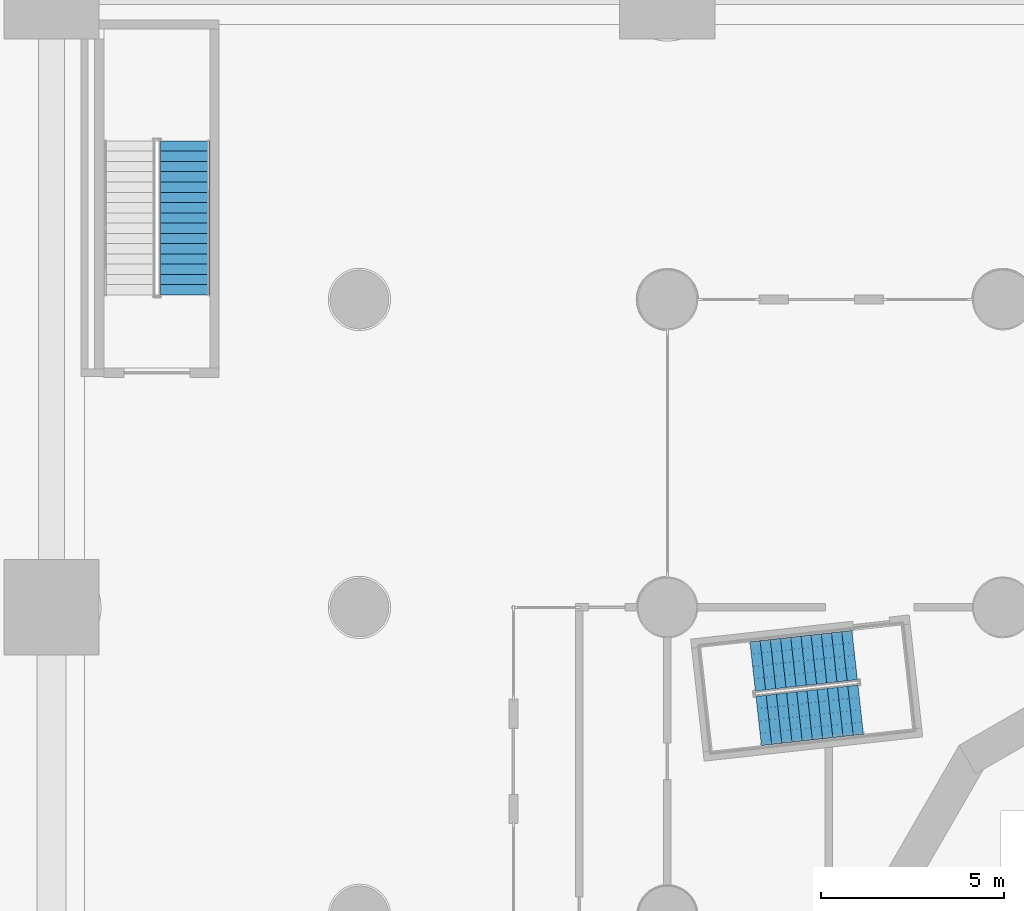
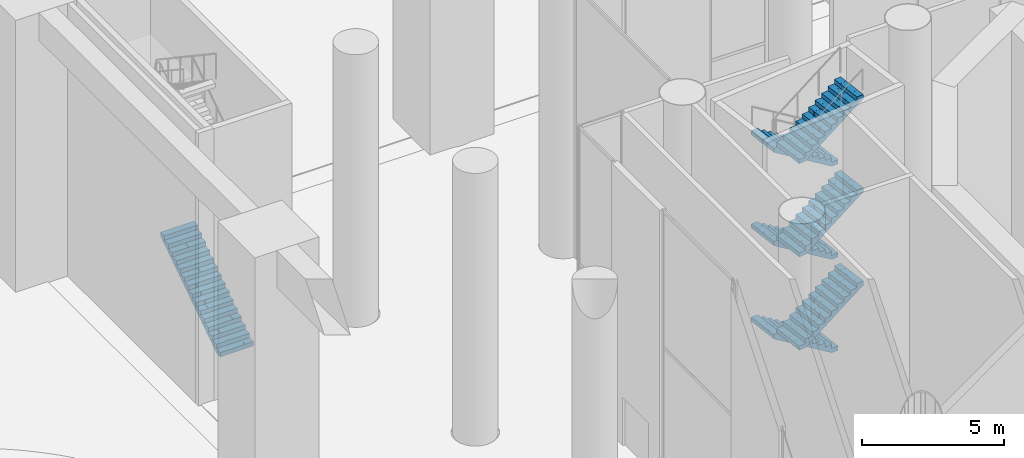
# One storey, part 21 of 52: 7 stair flights, 2 elements without a shape of their own.
"""IFC4 building model written with IfcOpenShell, lengths in metres."""

from ifc_helpers import new_model, si_unit, direction, frame, origin, place, context, subcontext, project, spatial, polyline, outline, extrude, material, type_object, element, aggregate, save


model = new_model("IFC4")

# Units and contexts
model_context = context("Model", 3, precision=1e-05, world=origin(), true_north=direction((0.0, 1.0)))
body_context = subcontext(model_context, "Body", "Model", "MODEL_VIEW")
ifc_project = project(units=[si_unit("LENGTHUNIT", "METRE"), si_unit("AREAUNIT", "SQUARE_METRE"), si_unit("VOLUMEUNIT", "CUBIC_METRE"), si_unit("PLANEANGLEUNIT", "RADIAN"), si_unit("MASSUNIT", "GRAM", prefix="KILO")], contexts=[model_context])

# Site, building, storey
site_placement = place(None, origin())
site = spatial("IfcSite", under=ifc_project, at=site_placement, CompositionType="ELEMENT")
building_placement = place(site_placement, origin())
building = spatial("IfcBuilding", under=site, at=building_placement, Name="Cantera Rosa Tower", CompositionType="ELEMENT")
storey_placement = place(building_placement, origin())
storey = spatial("IfcBuildingStorey", under=building, at=storey_placement, Name="L00", CompositionType="ELEMENT", Elevation=0.0)

# Stair, stair flights
ifc_material_1 = material(Name="Concrete C35/45", Category="concrete")
stair_type_1 = type_object("IfcStairType", Name="EXIT STAIR 1350 DOGLEG", PredefinedType="HALF_TURN_STAIR", material=ifc_material_1)
stair_1_placement = place(storey_placement, origin())
stair_1 = element("IfcStair", 1, at=stair_1_placement, inside=storey, type_object=stair_type_1, Name="L00 ST-12", PredefinedType="HALF_TURN_STAIR")
ifc_material_2 = material(Name="Concrete C35/45", Category="concrete")
stair_flight_type_1 = type_object("IfcStairFlightType", Name="STAIR FLIGHT 1350 R66x182", PredefinedType="STRAIGHT", material=ifc_material_2)
stair_flight_1_placement = place(storey_placement, frame((-11.691162109375, 11.2998046875, 0.0), z_axis=(0.0, 0.0, 1.0), x_axis=(-0.993896947056, -0.110312549749, 0.0)))
stair_flight_1 = element("IfcStairFlight", 2, at=stair_flight_1_placement, type_object=stair_flight_type_1, Name="ST-12 flight 1", NumberOfRisers=11, NumberOfTreads=10, PredefinedType="STRAIGHT", RiserHeight=0.181818182, TreadLength=0.28, context=body_context, shape_type="SweptSolid", body=[
    extrude(outline(polyline([(0.0, 0.0), (0.0, 0.181884765625), (0.280029296875, 0.181884765625), (0.280029296875, 0.363525390625), (0.56005859375, 0.363525390625), (0.56005859375, 0.54541015625), (0.840087890625, 0.54541015625), (0.840087890625, 0.727294921875), (1.1201171875, 0.727294921875), (1.1201171875, 0.9091796875), (1.39990234375, 0.9091796875), (1.39990234375, 1.0908203125), (1.679931640625, 1.0908203125), (1.679931640625, 1.272705078125), (1.9599609375, 1.272705078125), (1.9599609375, 1.45458984375), (2.239990234375, 1.45458984375), (2.239990234375, 1.636474609375), (2.52001953125, 1.636474609375), (2.52001953125, 1.818115234375), (2.800048828125, 1.818115234375), (2.800048828125, 2.0), (2.800048828125, 1.639404296875), (0.275146484375, 0.0), (0.0, 0.0)])), frame((0.0, 0.675048828125, 0.0), z_axis=(0.0, -1.0, 0.0), x_axis=(1.0, 0.0, 0.0)), (0.0, 0.0, 1.0), 0.3359375),
    extrude(outline(polyline([(0.0, 0.0), (0.0, 0.181884765625), (0.280029296875, 0.181884765625), (0.280029296875, 0.363525390625), (0.56005859375, 0.363525390625), (0.56005859375, 0.54541015625), (0.840087890625, 0.54541015625), (0.840087890625, 0.727294921875), (1.1201171875, 0.727294921875), (1.1201171875, 0.9091796875), (1.39990234375, 0.9091796875), (1.39990234375, 1.0908203125), (1.679931640625, 1.0908203125), (1.679931640625, 1.272705078125), (1.9599609375, 1.272705078125), (1.9599609375, 1.45458984375), (2.239990234375, 1.45458984375), (2.239990234375, 1.636474609375), (2.52001953125, 1.636474609375), (2.52001953125, 1.818115234375), (2.800048828125, 1.818115234375), (2.800048828125, 2.0), (2.800048828125, 1.639404296875), (0.275146484375, 0.0), (0.0, 0.0)])), frame((0.0, 0.337158203125, 0.0), z_axis=(0.0, -1.0, 0.0), x_axis=(1.0, 0.0, 0.0)), (0.0, 0.0, 1.0), 0.3359375),
    extrude(outline(polyline([(0.0, 0.0), (0.0, 0.181884765625), (0.280029296875, 0.181884765625), (0.280029296875, 0.363525390625), (0.56005859375, 0.363525390625), (0.56005859375, 0.54541015625), (0.840087890625, 0.54541015625), (0.840087890625, 0.727294921875), (1.1201171875, 0.727294921875), (1.1201171875, 0.9091796875), (1.39990234375, 0.9091796875), (1.39990234375, 1.0908203125), (1.679931640625, 1.0908203125), (1.679931640625, 1.272705078125), (1.9599609375, 1.272705078125), (1.9599609375, 1.45458984375), (2.239990234375, 1.45458984375), (2.239990234375, 1.636474609375), (2.52001953125, 1.636474609375), (2.52001953125, 1.818115234375), (2.800048828125, 1.818115234375), (2.800048828125, 2.0), (2.800048828125, 1.639404296875), (0.275146484375, 0.0), (0.0, 0.0)])), frame((0.0, -0.000732421875, 0.0), z_axis=(0.0, -1.0, 0.0), x_axis=(1.0, 0.0, 0.0)), (0.0, 0.0, 1.0), 0.3359375),
    extrude(outline(polyline([(0.0, 0.0), (0.0, 0.181884765625), (0.280029296875, 0.181884765625), (0.280029296875, 0.363525390625), (0.56005859375, 0.363525390625), (0.56005859375, 0.54541015625), (0.840087890625, 0.54541015625), (0.840087890625, 0.727294921875), (1.1201171875, 0.727294921875), (1.1201171875, 0.9091796875), (1.39990234375, 0.9091796875), (1.39990234375, 1.0908203125), (1.679931640625, 1.0908203125), (1.679931640625, 1.272705078125), (1.9599609375, 1.272705078125), (1.9599609375, 1.45458984375), (2.239990234375, 1.45458984375), (2.239990234375, 1.636474609375), (2.52001953125, 1.636474609375), (2.52001953125, 1.818115234375), (2.800048828125, 1.818115234375), (2.800048828125, 2.0), (2.800048828125, 1.639404296875), (0.275146484375, 0.0), (0.0, 0.0)])), frame((0.0, -0.338623046875, 0.0), z_axis=(0.0, -1.0, 0.0), x_axis=(1.0, 0.0, 0.0)), (0.0, 0.0, 1.0), 0.3359375),
])
stair_flight_2_placement = place(storey_placement, frame((-14.308837890625, 9.500244140625, 2.0), z_axis=(0.0, 0.0, 1.0), x_axis=(0.993896947056, 0.110312549749, 0.0)))
stair_flight_2 = element("IfcStairFlight", 3, at=stair_flight_2_placement, type_object=stair_flight_type_1, Name="ST-12 flight 2", NumberOfRisers=11, NumberOfTreads=10, PredefinedType="STRAIGHT", RiserHeight=0.181818182, TreadLength=0.28, context=body_context, shape_type="SweptSolid", body=[
    extrude(outline(polyline([(0.0, 0.0), (0.0, 0.181884765625), (0.280029296875, 0.181884765625), (0.280029296875, 0.363525390625), (0.56005859375, 0.363525390625), (0.56005859375, 0.54541015625), (0.840087890625, 0.54541015625), (0.840087890625, 0.727294921875), (1.1201171875, 0.727294921875), (1.1201171875, 0.9091796875), (1.39990234375, 0.9091796875), (1.39990234375, 1.0908203125), (1.679931640625, 1.0908203125), (1.679931640625, 1.272705078125), (1.9599609375, 1.272705078125), (1.9599609375, 1.45458984375), (2.239990234375, 1.45458984375), (2.239990234375, 1.636474609375), (2.52001953125, 1.636474609375), (2.52001953125, 1.818115234375), (2.800048828125, 1.818115234375), (2.800048828125, 2.0), (2.800048828125, 1.639404296875), (0.275146484375, 0.0), (0.0, 0.0)])), frame((0.0, 0.675048828125, 0.0), z_axis=(0.0, -1.0, 0.0), x_axis=(1.0, 0.0, 0.0)), (0.0, 0.0, 1.0), 0.3359375),
    extrude(outline(polyline([(0.0, 0.0), (0.0, 0.181884765625), (0.280029296875, 0.181884765625), (0.280029296875, 0.363525390625), (0.56005859375, 0.363525390625), (0.56005859375, 0.54541015625), (0.840087890625, 0.54541015625), (0.840087890625, 0.727294921875), (1.1201171875, 0.727294921875), (1.1201171875, 0.9091796875), (1.39990234375, 0.9091796875), (1.39990234375, 1.0908203125), (1.679931640625, 1.0908203125), (1.679931640625, 1.272705078125), (1.9599609375, 1.272705078125), (1.9599609375, 1.45458984375), (2.239990234375, 1.45458984375), (2.239990234375, 1.636474609375), (2.52001953125, 1.636474609375), (2.52001953125, 1.818115234375), (2.800048828125, 1.818115234375), (2.800048828125, 2.0), (2.800048828125, 1.639404296875), (0.275146484375, 0.0), (0.0, 0.0)])), frame((0.0, 0.337158203125, 0.0), z_axis=(0.0, -1.0, 0.0), x_axis=(1.0, 0.0, 0.0)), (0.0, 0.0, 1.0), 0.3359375),
    extrude(outline(polyline([(0.0, 0.0), (0.0, 0.181884765625), (0.280029296875, 0.181884765625), (0.280029296875, 0.363525390625), (0.56005859375, 0.363525390625), (0.56005859375, 0.54541015625), (0.840087890625, 0.54541015625), (0.840087890625, 0.727294921875), (1.1201171875, 0.727294921875), (1.1201171875, 0.9091796875), (1.39990234375, 0.9091796875), (1.39990234375, 1.0908203125), (1.679931640625, 1.0908203125), (1.679931640625, 1.272705078125), (1.9599609375, 1.272705078125), (1.9599609375, 1.45458984375), (2.239990234375, 1.45458984375), (2.239990234375, 1.636474609375), (2.52001953125, 1.636474609375), (2.52001953125, 1.818115234375), (2.800048828125, 1.818115234375), (2.800048828125, 2.0), (2.800048828125, 1.639404296875), (0.275146484375, 0.0), (0.0, 0.0)])), frame((0.0, -0.000732421875, 0.0), z_axis=(0.0, -1.0, 0.0), x_axis=(1.0, 0.0, 0.0)), (0.0, 0.0, 1.0), 0.3359375),
    extrude(outline(polyline([(0.0, 0.0), (0.0, 0.181884765625), (0.280029296875, 0.181884765625), (0.280029296875, 0.363525390625), (0.56005859375, 0.363525390625), (0.56005859375, 0.54541015625), (0.840087890625, 0.54541015625), (0.840087890625, 0.727294921875), (1.1201171875, 0.727294921875), (1.1201171875, 0.9091796875), (1.39990234375, 0.9091796875), (1.39990234375, 1.0908203125), (1.679931640625, 1.0908203125), (1.679931640625, 1.272705078125), (1.9599609375, 1.272705078125), (1.9599609375, 1.45458984375), (2.239990234375, 1.45458984375), (2.239990234375, 1.636474609375), (2.52001953125, 1.636474609375), (2.52001953125, 1.818115234375), (2.800048828125, 1.818115234375), (2.800048828125, 2.0), (2.800048828125, 1.639404296875), (0.275146484375, 0.0), (0.0, 0.0)])), frame((0.0, -0.338623046875, 0.0), z_axis=(0.0, -1.0, 0.0), x_axis=(1.0, 0.0, 0.0)), (0.0, 0.0, 1.0), 0.3359375),
])
stair_flight_3_placement = place(storey_placement, frame((-11.691162109375, 11.2998046875, 4.0), z_axis=(0.0, 0.0, 1.0), x_axis=(-0.993896947056, -0.110312549749, 0.0)))
stair_flight_3 = element("IfcStairFlight", 4, at=stair_flight_3_placement, type_object=stair_flight_type_1, Name="ST-12 flight 3", NumberOfRisers=11, NumberOfTreads=10, PredefinedType="STRAIGHT", RiserHeight=0.181818182, TreadLength=0.28, context=body_context, shape_type="SweptSolid", body=[
    extrude(outline(polyline([(0.0, 0.0), (0.0, 0.181884765625), (0.280029296875, 0.181884765625), (0.280029296875, 0.363525390625), (0.56005859375, 0.363525390625), (0.56005859375, 0.54541015625), (0.840087890625, 0.54541015625), (0.840087890625, 0.727294921875), (1.1201171875, 0.727294921875), (1.1201171875, 0.9091796875), (1.39990234375, 0.9091796875), (1.39990234375, 1.0908203125), (1.679931640625, 1.0908203125), (1.679931640625, 1.272705078125), (1.9599609375, 1.272705078125), (1.9599609375, 1.45458984375), (2.239990234375, 1.45458984375), (2.239990234375, 1.636474609375), (2.52001953125, 1.636474609375), (2.52001953125, 1.818115234375), (2.800048828125, 1.818115234375), (2.800048828125, 2.0), (2.800048828125, 1.639404296875), (0.275146484375, 0.0), (0.0, 0.0)])), frame((0.0, 0.675048828125, 0.0), z_axis=(0.0, -1.0, 0.0), x_axis=(1.0, 0.0, 0.0)), (0.0, 0.0, 1.0), 0.3359375),
    extrude(outline(polyline([(0.0, 0.0), (0.0, 0.181884765625), (0.280029296875, 0.181884765625), (0.280029296875, 0.363525390625), (0.56005859375, 0.363525390625), (0.56005859375, 0.54541015625), (0.840087890625, 0.54541015625), (0.840087890625, 0.727294921875), (1.1201171875, 0.727294921875), (1.1201171875, 0.9091796875), (1.39990234375, 0.9091796875), (1.39990234375, 1.0908203125), (1.679931640625, 1.0908203125), (1.679931640625, 1.272705078125), (1.9599609375, 1.272705078125), (1.9599609375, 1.45458984375), (2.239990234375, 1.45458984375), (2.239990234375, 1.636474609375), (2.52001953125, 1.636474609375), (2.52001953125, 1.818115234375), (2.800048828125, 1.818115234375), (2.800048828125, 2.0), (2.800048828125, 1.639404296875), (0.275146484375, 0.0), (0.0, 0.0)])), frame((0.0, 0.337158203125, 0.0), z_axis=(0.0, -1.0, 0.0), x_axis=(1.0, 0.0, 0.0)), (0.0, 0.0, 1.0), 0.3359375),
    extrude(outline(polyline([(0.0, 0.0), (0.0, 0.181884765625), (0.280029296875, 0.181884765625), (0.280029296875, 0.363525390625), (0.56005859375, 0.363525390625), (0.56005859375, 0.54541015625), (0.840087890625, 0.54541015625), (0.840087890625, 0.727294921875), (1.1201171875, 0.727294921875), (1.1201171875, 0.9091796875), (1.39990234375, 0.9091796875), (1.39990234375, 1.0908203125), (1.679931640625, 1.0908203125), (1.679931640625, 1.272705078125), (1.9599609375, 1.272705078125), (1.9599609375, 1.45458984375), (2.239990234375, 1.45458984375), (2.239990234375, 1.636474609375), (2.52001953125, 1.636474609375), (2.52001953125, 1.818115234375), (2.800048828125, 1.818115234375), (2.800048828125, 2.0), (2.800048828125, 1.639404296875), (0.275146484375, 0.0), (0.0, 0.0)])), frame((0.0, -0.000732421875, 0.0), z_axis=(0.0, -1.0, 0.0), x_axis=(1.0, 0.0, 0.0)), (0.0, 0.0, 1.0), 0.3359375),
    extrude(outline(polyline([(0.0, 0.0), (0.0, 0.181884765625), (0.280029296875, 0.181884765625), (0.280029296875, 0.363525390625), (0.56005859375, 0.363525390625), (0.56005859375, 0.54541015625), (0.840087890625, 0.54541015625), (0.840087890625, 0.727294921875), (1.1201171875, 0.727294921875), (1.1201171875, 0.9091796875), (1.39990234375, 0.9091796875), (1.39990234375, 1.0908203125), (1.679931640625, 1.0908203125), (1.679931640625, 1.272705078125), (1.9599609375, 1.272705078125), (1.9599609375, 1.45458984375), (2.239990234375, 1.45458984375), (2.239990234375, 1.636474609375), (2.52001953125, 1.636474609375), (2.52001953125, 1.818115234375), (2.800048828125, 1.818115234375), (2.800048828125, 2.0), (2.800048828125, 1.639404296875), (0.275146484375, 0.0), (0.0, 0.0)])), frame((0.0, -0.338623046875, 0.0), z_axis=(0.0, -1.0, 0.0), x_axis=(1.0, 0.0, 0.0)), (0.0, 0.0, 1.0), 0.3359375),
])
stair_flight_4_placement = place(storey_placement, frame((-14.308837890625, 9.500244140625, 6.0), z_axis=(0.0, 0.0, 1.0), x_axis=(0.993896947056, 0.110312549749, 0.0)))
stair_flight_4 = element("IfcStairFlight", 5, at=stair_flight_4_placement, type_object=stair_flight_type_1, Name="ST-12 flight 4", NumberOfRisers=11, NumberOfTreads=10, PredefinedType="STRAIGHT", RiserHeight=0.181818182, TreadLength=0.28, context=body_context, shape_type="SweptSolid", body=[
    extrude(outline(polyline([(0.0, 0.0), (0.0, 0.181884765625), (0.280029296875, 0.181884765625), (0.280029296875, 0.363525390625), (0.56005859375, 0.363525390625), (0.56005859375, 0.54541015625), (0.840087890625, 0.54541015625), (0.840087890625, 0.727294921875), (1.1201171875, 0.727294921875), (1.1201171875, 0.9091796875), (1.39990234375, 0.9091796875), (1.39990234375, 1.0908203125), (1.679931640625, 1.0908203125), (1.679931640625, 1.272705078125), (1.9599609375, 1.272705078125), (1.9599609375, 1.45458984375), (2.239990234375, 1.45458984375), (2.239990234375, 1.636474609375), (2.52001953125, 1.636474609375), (2.52001953125, 1.818115234375), (2.800048828125, 1.818115234375), (2.800048828125, 2.0), (2.800048828125, 1.639404296875), (0.275146484375, 0.0), (0.0, 0.0)])), frame((0.0, 0.675048828125, 0.0), z_axis=(0.0, -1.0, 0.0), x_axis=(1.0, 0.0, 0.0)), (0.0, 0.0, 1.0), 0.3359375),
    extrude(outline(polyline([(0.0, 0.0), (0.0, 0.181884765625), (0.280029296875, 0.181884765625), (0.280029296875, 0.363525390625), (0.56005859375, 0.363525390625), (0.56005859375, 0.54541015625), (0.840087890625, 0.54541015625), (0.840087890625, 0.727294921875), (1.1201171875, 0.727294921875), (1.1201171875, 0.9091796875), (1.39990234375, 0.9091796875), (1.39990234375, 1.0908203125), (1.679931640625, 1.0908203125), (1.679931640625, 1.272705078125), (1.9599609375, 1.272705078125), (1.9599609375, 1.45458984375), (2.239990234375, 1.45458984375), (2.239990234375, 1.636474609375), (2.52001953125, 1.636474609375), (2.52001953125, 1.818115234375), (2.800048828125, 1.818115234375), (2.800048828125, 2.0), (2.800048828125, 1.639404296875), (0.275146484375, 0.0), (0.0, 0.0)])), frame((0.0, 0.337158203125, 0.0), z_axis=(0.0, -1.0, 0.0), x_axis=(1.0, 0.0, 0.0)), (0.0, 0.0, 1.0), 0.3359375),
    extrude(outline(polyline([(0.0, 0.0), (0.0, 0.181884765625), (0.280029296875, 0.181884765625), (0.280029296875, 0.363525390625), (0.56005859375, 0.363525390625), (0.56005859375, 0.54541015625), (0.840087890625, 0.54541015625), (0.840087890625, 0.727294921875), (1.1201171875, 0.727294921875), (1.1201171875, 0.9091796875), (1.39990234375, 0.9091796875), (1.39990234375, 1.0908203125), (1.679931640625, 1.0908203125), (1.679931640625, 1.272705078125), (1.9599609375, 1.272705078125), (1.9599609375, 1.45458984375), (2.239990234375, 1.45458984375), (2.239990234375, 1.636474609375), (2.52001953125, 1.636474609375), (2.52001953125, 1.818115234375), (2.800048828125, 1.818115234375), (2.800048828125, 2.0), (2.800048828125, 1.639404296875), (0.275146484375, 0.0), (0.0, 0.0)])), frame((0.0, -0.000732421875, 0.0), z_axis=(0.0, -1.0, 0.0), x_axis=(1.0, 0.0, 0.0)), (0.0, 0.0, 1.0), 0.3359375),
    extrude(outline(polyline([(0.0, 0.0), (0.0, 0.181884765625), (0.280029296875, 0.181884765625), (0.280029296875, 0.363525390625), (0.56005859375, 0.363525390625), (0.56005859375, 0.54541015625), (0.840087890625, 0.54541015625), (0.840087890625, 0.727294921875), (1.1201171875, 0.727294921875), (1.1201171875, 0.9091796875), (1.39990234375, 0.9091796875), (1.39990234375, 1.0908203125), (1.679931640625, 1.0908203125), (1.679931640625, 1.272705078125), (1.9599609375, 1.272705078125), (1.9599609375, 1.45458984375), (2.239990234375, 1.45458984375), (2.239990234375, 1.636474609375), (2.52001953125, 1.636474609375), (2.52001953125, 1.818115234375), (2.800048828125, 1.818115234375), (2.800048828125, 2.0), (2.800048828125, 1.639404296875), (0.275146484375, 0.0), (0.0, 0.0)])), frame((0.0, -0.338623046875, 0.0), z_axis=(0.0, -1.0, 0.0), x_axis=(1.0, 0.0, 0.0)), (0.0, 0.0, 1.0), 0.3359375),
])
stair_flight_5_placement = place(storey_placement, frame((-11.691162109375, 11.2998046875, 8.0), z_axis=(0.0, 0.0, 1.0), x_axis=(-0.993896947056, -0.110312549749, 0.0)))
stair_flight_5 = element("IfcStairFlight", 6, at=stair_flight_5_placement, type_object=stair_flight_type_1, Name="ST-12 flight 5", NumberOfRisers=11, NumberOfTreads=10, PredefinedType="STRAIGHT", RiserHeight=0.181818182, TreadLength=0.28, context=body_context, shape_type="SweptSolid", body=[
    extrude(outline(polyline([(0.0, 0.0), (0.0, 0.181884765625), (0.280029296875, 0.181884765625), (0.280029296875, 0.363525390625), (0.56005859375, 0.363525390625), (0.56005859375, 0.54541015625), (0.840087890625, 0.54541015625), (0.840087890625, 0.727294921875), (1.1201171875, 0.727294921875), (1.1201171875, 0.9091796875), (1.39990234375, 0.9091796875), (1.39990234375, 1.0908203125), (1.679931640625, 1.0908203125), (1.679931640625, 1.272705078125), (1.9599609375, 1.272705078125), (1.9599609375, 1.45458984375), (2.239990234375, 1.45458984375), (2.239990234375, 1.636474609375), (2.52001953125, 1.636474609375), (2.52001953125, 1.818115234375), (2.800048828125, 1.818115234375), (2.800048828125, 2.0), (2.800048828125, 1.639404296875), (0.275146484375, 0.0), (0.0, 0.0)])), frame((0.0, 0.675048828125, 0.0), z_axis=(0.0, -1.0, 0.0), x_axis=(1.0, 0.0, 0.0)), (0.0, 0.0, 1.0), 0.3359375),
    extrude(outline(polyline([(0.0, 0.0), (0.0, 0.181884765625), (0.280029296875, 0.181884765625), (0.280029296875, 0.363525390625), (0.56005859375, 0.363525390625), (0.56005859375, 0.54541015625), (0.840087890625, 0.54541015625), (0.840087890625, 0.727294921875), (1.1201171875, 0.727294921875), (1.1201171875, 0.9091796875), (1.39990234375, 0.9091796875), (1.39990234375, 1.0908203125), (1.679931640625, 1.0908203125), (1.679931640625, 1.272705078125), (1.9599609375, 1.272705078125), (1.9599609375, 1.45458984375), (2.239990234375, 1.45458984375), (2.239990234375, 1.636474609375), (2.52001953125, 1.636474609375), (2.52001953125, 1.818115234375), (2.800048828125, 1.818115234375), (2.800048828125, 2.0), (2.800048828125, 1.639404296875), (0.275146484375, 0.0), (0.0, 0.0)])), frame((0.0, 0.337158203125, 0.0), z_axis=(0.0, -1.0, 0.0), x_axis=(1.0, 0.0, 0.0)), (0.0, 0.0, 1.0), 0.3359375),
    extrude(outline(polyline([(0.0, 0.0), (0.0, 0.181884765625), (0.280029296875, 0.181884765625), (0.280029296875, 0.363525390625), (0.56005859375, 0.363525390625), (0.56005859375, 0.54541015625), (0.840087890625, 0.54541015625), (0.840087890625, 0.727294921875), (1.1201171875, 0.727294921875), (1.1201171875, 0.9091796875), (1.39990234375, 0.9091796875), (1.39990234375, 1.0908203125), (1.679931640625, 1.0908203125), (1.679931640625, 1.272705078125), (1.9599609375, 1.272705078125), (1.9599609375, 1.45458984375), (2.239990234375, 1.45458984375), (2.239990234375, 1.636474609375), (2.52001953125, 1.636474609375), (2.52001953125, 1.818115234375), (2.800048828125, 1.818115234375), (2.800048828125, 2.0), (2.800048828125, 1.639404296875), (0.275146484375, 0.0), (0.0, 0.0)])), frame((0.0, -0.000732421875, 0.0), z_axis=(0.0, -1.0, 0.0), x_axis=(1.0, 0.0, 0.0)), (0.0, 0.0, 1.0), 0.3359375),
    extrude(outline(polyline([(0.0, 0.0), (0.0, 0.181884765625), (0.280029296875, 0.181884765625), (0.280029296875, 0.363525390625), (0.56005859375, 0.363525390625), (0.56005859375, 0.54541015625), (0.840087890625, 0.54541015625), (0.840087890625, 0.727294921875), (1.1201171875, 0.727294921875), (1.1201171875, 0.9091796875), (1.39990234375, 0.9091796875), (1.39990234375, 1.0908203125), (1.679931640625, 1.0908203125), (1.679931640625, 1.272705078125), (1.9599609375, 1.272705078125), (1.9599609375, 1.45458984375), (2.239990234375, 1.45458984375), (2.239990234375, 1.636474609375), (2.52001953125, 1.636474609375), (2.52001953125, 1.818115234375), (2.800048828125, 1.818115234375), (2.800048828125, 2.0), (2.800048828125, 1.639404296875), (0.275146484375, 0.0), (0.0, 0.0)])), frame((0.0, -0.338623046875, 0.0), z_axis=(0.0, -1.0, 0.0), x_axis=(1.0, 0.0, 0.0)), (0.0, 0.0, 1.0), 0.3359375),
])
stair_flight_6_placement = place(storey_placement, frame((-14.308837890625, 9.500244140625, 10.0), z_axis=(0.0, 0.0, 1.0), x_axis=(0.993896947056, 0.110312549749, 0.0)))
stair_flight_6 = element("IfcStairFlight", 7, at=stair_flight_6_placement, type_object=stair_flight_type_1, Name="ST-12 flight 6", NumberOfRisers=11, NumberOfTreads=10, PredefinedType="STRAIGHT", RiserHeight=0.181818182, TreadLength=0.28, context=body_context, shape_type="SweptSolid", body=[
    extrude(outline(polyline([(0.0, 0.0), (0.0, 0.181884765625), (0.280029296875, 0.181884765625), (0.280029296875, 0.363525390625), (0.56005859375, 0.363525390625), (0.56005859375, 0.54541015625), (0.840087890625, 0.54541015625), (0.840087890625, 0.727294921875), (1.1201171875, 0.727294921875), (1.1201171875, 0.9091796875), (1.39990234375, 0.9091796875), (1.39990234375, 1.0908203125), (1.679931640625, 1.0908203125), (1.679931640625, 1.272705078125), (1.9599609375, 1.272705078125), (1.9599609375, 1.45458984375), (2.239990234375, 1.45458984375), (2.239990234375, 1.636474609375), (2.52001953125, 1.636474609375), (2.52001953125, 1.818115234375), (2.800048828125, 1.818115234375), (2.800048828125, 2.0), (2.800048828125, 1.639404296875), (0.275146484375, 0.0), (0.0, 0.0)])), frame((0.0, 0.675048828125, 0.0), z_axis=(0.0, -1.0, 0.0), x_axis=(1.0, 0.0, 0.0)), (0.0, 0.0, 1.0), 0.3359375),
    extrude(outline(polyline([(0.0, 0.0), (0.0, 0.181884765625), (0.280029296875, 0.181884765625), (0.280029296875, 0.363525390625), (0.56005859375, 0.363525390625), (0.56005859375, 0.54541015625), (0.840087890625, 0.54541015625), (0.840087890625, 0.727294921875), (1.1201171875, 0.727294921875), (1.1201171875, 0.9091796875), (1.39990234375, 0.9091796875), (1.39990234375, 1.0908203125), (1.679931640625, 1.0908203125), (1.679931640625, 1.272705078125), (1.9599609375, 1.272705078125), (1.9599609375, 1.45458984375), (2.239990234375, 1.45458984375), (2.239990234375, 1.636474609375), (2.52001953125, 1.636474609375), (2.52001953125, 1.818115234375), (2.800048828125, 1.818115234375), (2.800048828125, 2.0), (2.800048828125, 1.639404296875), (0.275146484375, 0.0), (0.0, 0.0)])), frame((0.0, 0.337158203125, 0.0), z_axis=(0.0, -1.0, 0.0), x_axis=(1.0, 0.0, 0.0)), (0.0, 0.0, 1.0), 0.3359375),
    extrude(outline(polyline([(0.0, 0.0), (0.0, 0.181884765625), (0.280029296875, 0.181884765625), (0.280029296875, 0.363525390625), (0.56005859375, 0.363525390625), (0.56005859375, 0.54541015625), (0.840087890625, 0.54541015625), (0.840087890625, 0.727294921875), (1.1201171875, 0.727294921875), (1.1201171875, 0.9091796875), (1.39990234375, 0.9091796875), (1.39990234375, 1.0908203125), (1.679931640625, 1.0908203125), (1.679931640625, 1.272705078125), (1.9599609375, 1.272705078125), (1.9599609375, 1.45458984375), (2.239990234375, 1.45458984375), (2.239990234375, 1.636474609375), (2.52001953125, 1.636474609375), (2.52001953125, 1.818115234375), (2.800048828125, 1.818115234375), (2.800048828125, 2.0), (2.800048828125, 1.639404296875), (0.275146484375, 0.0), (0.0, 0.0)])), frame((0.0, -0.000732421875, 0.0), z_axis=(0.0, -1.0, 0.0), x_axis=(1.0, 0.0, 0.0)), (0.0, 0.0, 1.0), 0.3359375),
    extrude(outline(polyline([(0.0, 0.0), (0.0, 0.181884765625), (0.280029296875, 0.181884765625), (0.280029296875, 0.363525390625), (0.56005859375, 0.363525390625), (0.56005859375, 0.54541015625), (0.840087890625, 0.54541015625), (0.840087890625, 0.727294921875), (1.1201171875, 0.727294921875), (1.1201171875, 0.9091796875), (1.39990234375, 0.9091796875), (1.39990234375, 1.0908203125), (1.679931640625, 1.0908203125), (1.679931640625, 1.272705078125), (1.9599609375, 1.272705078125), (1.9599609375, 1.45458984375), (2.239990234375, 1.45458984375), (2.239990234375, 1.636474609375), (2.52001953125, 1.636474609375), (2.52001953125, 1.818115234375), (2.800048828125, 1.818115234375), (2.800048828125, 2.0), (2.800048828125, 1.639404296875), (0.275146484375, 0.0), (0.0, 0.0)])), frame((0.0, -0.338623046875, 0.0), z_axis=(0.0, -1.0, 0.0), x_axis=(1.0, 0.0, 0.0)), (0.0, 0.0, 1.0), 0.3359375),
])
aggregate(stair_1, [stair_flight_1, stair_flight_2, stair_flight_3, stair_flight_4, stair_flight_5, stair_flight_6])

# Stair, stair flight
ifc_material_3 = material(Name="Concrete C35/45", Category="concrete")
stair_type_2 = type_object("IfcStairType", Name="Stair half-turn 1350", PredefinedType="HALF_TURN_STAIR", material=ifc_material_3)
stair_2_placement = place(storey_placement, origin())
stair_2 = element("IfcStair", 8, at=stair_2_placement, inside=storey, type_object=stair_type_2, Name="L00 ST-NW", PredefinedType="HALF_TURN_STAIR")
ifc_material_4 = material(Name="Concrete C35/45", Category="concrete")
stair_flight_type_2 = type_object("IfcStairFlightType", Name="Stair flight 1350", PredefinedType="STRAIGHT", material=ifc_material_4)
stair_flight_7_placement = place(storey_placement, frame((-29.949951171875, 21.125, 0.0), z_axis=(0.0, 0.0, 1.0), x_axis=(0.0, 1.0, 0.0)))
stair_flight_7 = element("IfcStairFlight", 9, at=stair_flight_7_placement, type_object=stair_flight_type_2, Name="ST-NW flight 1", NumberOfRisers=16, NumberOfTreads=15, PredefinedType="STRAIGHT", RiserHeight=0.1875, TreadLength=0.28, context=body_context, shape_type="SweptSolid", body=[
    extrude(outline(polyline([(0.0, 0.0), (0.0, 0.1875), (0.280029296875, 0.1875), (0.280029296875, 0.375), (0.56005859375, 0.375), (0.56005859375, 0.5625), (0.840087890625, 0.5625), (0.840087890625, 0.75), (1.1201171875, 0.75), (1.1201171875, 0.9375), (1.39990234375, 0.9375), (1.39990234375, 1.125), (1.679931640625, 1.125), (1.679931640625, 1.3125), (1.9599609375, 1.3125), (1.9599609375, 1.5), (2.239990234375, 1.5), (2.239990234375, 1.6875), (2.52001953125, 1.6875), (2.52001953125, 1.875), (2.800048828125, 1.875), (2.800048828125, 2.0625), (3.080078125, 2.0625), (3.080078125, 2.25), (3.360107421875, 2.25), (3.360107421875, 2.4375), (3.639892578125, 2.4375), (3.639892578125, 2.625), (3.919921875, 2.625), (3.919921875, 2.8125), (4.199951171875, 2.8125), (4.199951171875, 3.0), (4.199951171875, 2.632080078125), (0.26953125, 0.0), (0.0, 0.0)])), frame((0.0, 0.675048828125, 0.0), z_axis=(0.0, -1.0, 0.0), x_axis=(1.0, 0.0, 0.0)), (0.0, 0.0, 1.0), 0.3359375),
    extrude(outline(polyline([(0.0, 0.0), (0.0, 0.1875), (0.280029296875, 0.1875), (0.280029296875, 0.375), (0.56005859375, 0.375), (0.56005859375, 0.5625), (0.840087890625, 0.5625), (0.840087890625, 0.75), (1.1201171875, 0.75), (1.1201171875, 0.9375), (1.39990234375, 0.9375), (1.39990234375, 1.125), (1.679931640625, 1.125), (1.679931640625, 1.3125), (1.9599609375, 1.3125), (1.9599609375, 1.5), (2.239990234375, 1.5), (2.239990234375, 1.6875), (2.52001953125, 1.6875), (2.52001953125, 1.875), (2.800048828125, 1.875), (2.800048828125, 2.0625), (3.080078125, 2.0625), (3.080078125, 2.25), (3.360107421875, 2.25), (3.360107421875, 2.4375), (3.639892578125, 2.4375), (3.639892578125, 2.625), (3.919921875, 2.625), (3.919921875, 2.8125), (4.199951171875, 2.8125), (4.199951171875, 3.0), (4.199951171875, 2.632080078125), (0.26953125, 0.0), (0.0, 0.0)])), frame((0.0, 0.337158203125, 0.0), z_axis=(0.0, -1.0, 0.0), x_axis=(1.0, 0.0, 0.0)), (0.0, 0.0, 1.0), 0.3359375),
    extrude(outline(polyline([(0.0, 0.0), (0.0, 0.1875), (0.280029296875, 0.1875), (0.280029296875, 0.375), (0.56005859375, 0.375), (0.56005859375, 0.5625), (0.840087890625, 0.5625), (0.840087890625, 0.75), (1.1201171875, 0.75), (1.1201171875, 0.9375), (1.39990234375, 0.9375), (1.39990234375, 1.125), (1.679931640625, 1.125), (1.679931640625, 1.3125), (1.9599609375, 1.3125), (1.9599609375, 1.5), (2.239990234375, 1.5), (2.239990234375, 1.6875), (2.52001953125, 1.6875), (2.52001953125, 1.875), (2.800048828125, 1.875), (2.800048828125, 2.0625), (3.080078125, 2.0625), (3.080078125, 2.25), (3.360107421875, 2.25), (3.360107421875, 2.4375), (3.639892578125, 2.4375), (3.639892578125, 2.625), (3.919921875, 2.625), (3.919921875, 2.8125), (4.199951171875, 2.8125), (4.199951171875, 3.0), (4.199951171875, 2.632080078125), (0.26953125, 0.0), (0.0, 0.0)])), frame((0.0, -0.000732421875, 0.0), z_axis=(0.0, -1.0, 0.0), x_axis=(1.0, 0.0, 0.0)), (0.0, 0.0, 1.0), 0.3359375),
    extrude(outline(polyline([(0.0, 0.0), (0.0, 0.1875), (0.280029296875, 0.1875), (0.280029296875, 0.375), (0.56005859375, 0.375), (0.56005859375, 0.5625), (0.840087890625, 0.5625), (0.840087890625, 0.75), (1.1201171875, 0.75), (1.1201171875, 0.9375), (1.39990234375, 0.9375), (1.39990234375, 1.125), (1.679931640625, 1.125), (1.679931640625, 1.3125), (1.9599609375, 1.3125), (1.9599609375, 1.5), (2.239990234375, 1.5), (2.239990234375, 1.6875), (2.52001953125, 1.6875), (2.52001953125, 1.875), (2.800048828125, 1.875), (2.800048828125, 2.0625), (3.080078125, 2.0625), (3.080078125, 2.25), (3.360107421875, 2.25), (3.360107421875, 2.4375), (3.639892578125, 2.4375), (3.639892578125, 2.625), (3.919921875, 2.625), (3.919921875, 2.8125), (4.199951171875, 2.8125), (4.199951171875, 3.0), (4.199951171875, 2.632080078125), (0.26953125, 0.0), (0.0, 0.0)])), frame((0.0, -0.338623046875, 0.0), z_axis=(0.0, -1.0, 0.0), x_axis=(1.0, 0.0, 0.0)), (0.0, 0.0, 1.0), 0.3359375),
])
aggregate(stair_2, [stair_flight_7])

save(model, "model.ifc")
